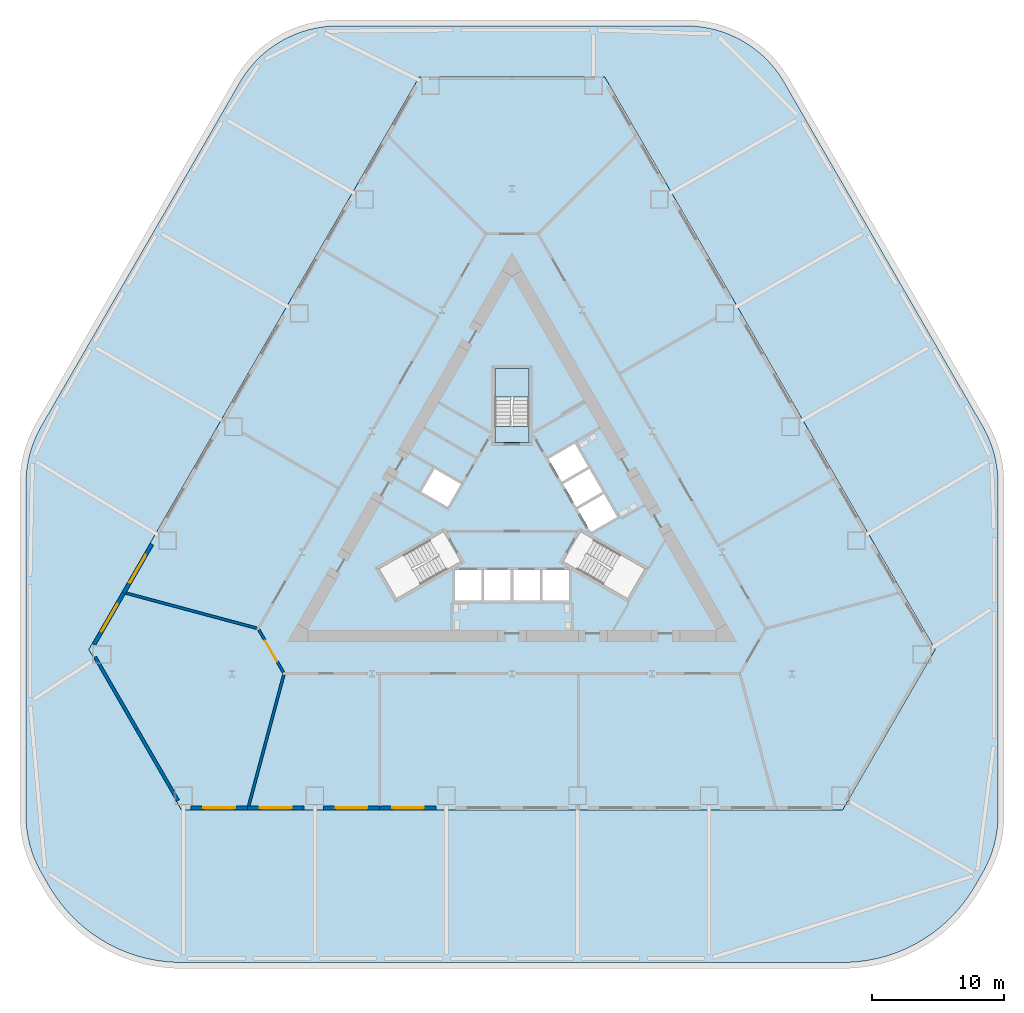
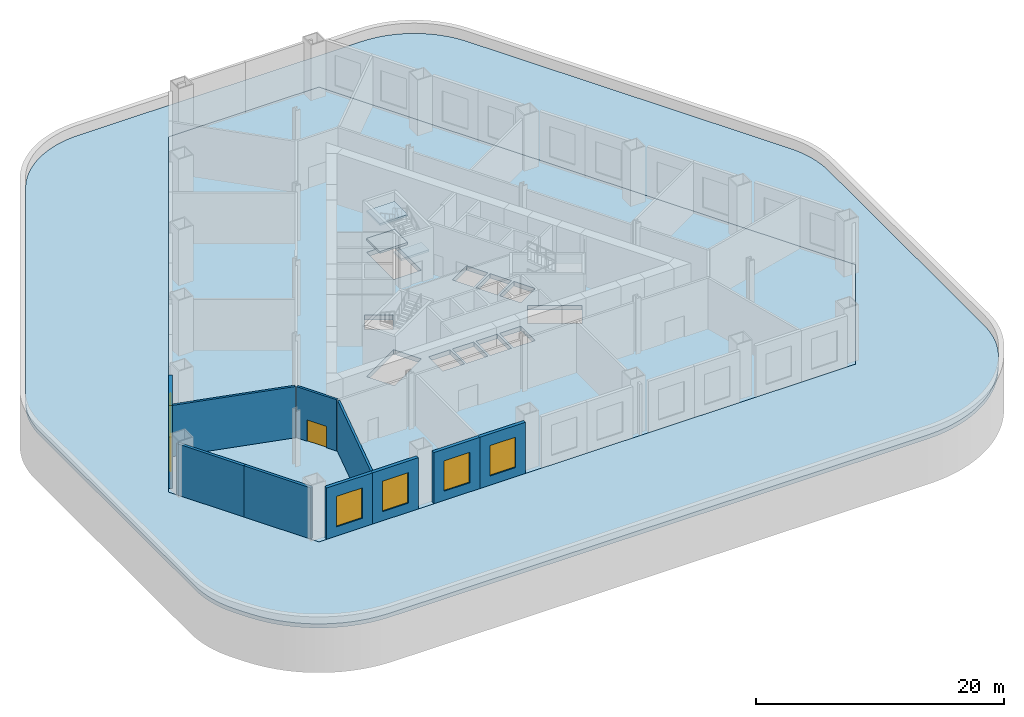
# One storey, part 2 of 10: 11 walls, 6 windows, 5 slabs, 1 door, 7 openings, 1 element without a shape of its own.
"""IFC4 building model written with IfcOpenShell, lengths in metres."""

from ifc_helpers import new_model, si_unit, direction, frame, frame_2d, origin, place, context, subcontext, project, spatial, polyline, rectangle, outline, extrude, material, layer, layer_set, type_object, element, fill, aggregate, save


model = new_model("IFC4")

# Units and contexts
model_context = context("Model", 3, precision=1e-05, world=origin(), true_north=direction((0.0, 1.0)))
body_context = subcontext(model_context, "Body", "Model", "MODEL_VIEW")
ifc_project = project(units=[si_unit("LENGTHUNIT", "METRE"), si_unit("AREAUNIT", "SQUARE_METRE"), si_unit("VOLUMEUNIT", "CUBIC_METRE"), si_unit("PLANEANGLEUNIT", "RADIAN"), si_unit("MASSUNIT", "GRAM", prefix="KILO")], contexts=[model_context])

# Site, building, storey
site_placement = place(None, origin())
site = spatial("IfcSite", under=ifc_project, at=site_placement, CompositionType="ELEMENT")
building_placement = place(site_placement, origin())
building = spatial("IfcBuilding", under=site, at=building_placement, Name="Cormorant Prow Tower", CompositionType="ELEMENT")
storey_placement = place(building_placement, frame((0.0, 0.0, 10.0)))
storey = spatial("IfcBuildingStorey", under=building, at=storey_placement, Name="L01", CompositionType="ELEMENT", Elevation=10.0)

# Slabs
ifc_material_1 = material(Name="Concrete C40/50", Category="concrete")
ifc_layer_1 = layer(ifc_material_1, 0.39990234375)
ifc_layer_set_1 = layer_set([ifc_layer_1], Name="Concrete C40/50")
slab_type_1 = type_object("IfcSlabType", Name="Podium canopy slab 400", PredefinedType="ROOF", material=ifc_layer_set_1)
slab_1_placement = place(storey_placement, frame((0.0, 0.0, -0.39990234375)))
element("IfcSlab", 1, at=slab_1_placement, inside=storey, type_object=slab_type_1, Name="Arcade roof slab", PredefinedType="ROOF", context=body_context, shape_type="SweptSolid", body=[
    extrude(outline(polyline([(-36.098876953125, -26.245849609375), (-36.296142578125, -25.722412109375), (-36.45849609375, -25.18701171875), (-36.58544921875, -24.64208984375), (-36.676513671875, -24.090087890625), (-36.7314453125, -23.533203125), (-36.75, -22.966796875), (-36.75, 2.18212890625), (-36.7314453125, 2.748779296875), (-36.676513671875, 3.305419921875), (-36.58544921875, 3.857421875), (-36.45849609375, 4.40234375), (-36.296142578125, 4.937744140625), (-36.098876953125, 5.46142578125), (-35.8681640625, 5.970947265625), (-35.600830078125, 6.470947265625), (-20.591064453125, 32.468505859375), (-20.291748046875, 32.949951171875), (-19.9658203125, 33.40478515625), (-19.61083984375, 33.837158203125), (-19.228515625, 34.24560546875), (-18.820068359375, 34.6279296875), (-18.3876953125, 34.98291015625), (-17.932861328125, 35.308837890625), (-17.457763671875, 35.604248046875), (-16.96435546875, 35.8681640625), (-16.45458984375, 36.098876953125), (-15.93115234375, 36.296142578125), (-15.395751953125, 36.45849609375), (-14.850830078125, 36.58544921875), (-14.298828125, 36.676513671875), (-13.741943359375, 36.7314453125), (-13.175537109375, 36.75), (13.175537109375, 36.75), (13.741943359375, 36.7314453125), (14.298828125, 36.676513671875), (14.850830078125, 36.58544921875), (15.395751953125, 36.45849609375), (15.93115234375, 36.296142578125), (16.45458984375, 36.098876953125), (16.96435546875, 35.8681640625), (17.457763671875, 35.604248046875), (17.932861328125, 35.308837890625), (18.3876953125, 34.98291015625), (18.820068359375, 34.6279296875), (19.228515625, 34.24560546875), (19.61083984375, 33.837158203125), (19.9658203125, 33.40478515625), (20.291748046875, 32.949951171875), (20.591064453125, 32.468505859375), (35.600830078125, 6.470947265625), (35.8681640625, 5.970947265625), (36.098876953125, 5.46142578125), (36.296142578125, 4.937744140625), (36.45849609375, 4.40234375), (36.58544921875, 3.857421875), (36.676513671875, 3.305419921875), (36.7314453125, 2.748779296875), (36.75, 2.18212890625), (36.75, -22.966796875), (36.7314453125, -23.533203125), (36.676513671875, -24.090087890625), (36.58544921875, -24.64208984375), (36.45849609375, -25.18701171875), (36.296142578125, -25.722412109375), (36.098876953125, -26.245849609375), (35.8681640625, -26.755615234375), (35.600830078125, -27.25537109375), (35.078125, -28.160888671875), (34.930419921875, -28.4072265625), (34.7548828125, -28.689453125), (34.43603515625, -29.166748046875), (34.330322265625, -29.314208984375), (33.980712890625, -29.769775390625), (33.86572265625, -29.909912109375), (33.4873046875, -30.341552734375), (33.36328125, -30.473876953125), (32.957275390625, -30.8798828125), (32.824951171875, -31.00390625), (32.393310546875, -31.382568359375), (32.253173828125, -31.49755859375), (31.797607421875, -31.846923828125), (31.650146484375, -31.95263671875), (31.1728515625, -32.271728515625), (31.018798828125, -32.367431640625), (30.521484375, -32.654541015625), (30.361572265625, -32.739990234375), (29.8466796875, -32.993896484375), (29.681640625, -33.068603515625), (29.151123046875, -33.288330078125), (28.9814453125, -33.352294921875), (28.437744140625, -33.536865234375), (28.26416015625, -33.589599609375), (27.70947265625, -33.738037109375), (27.532958984375, -33.779296875), (26.9697265625, -33.891357421875), (26.791015625, -33.9208984375), (26.2216796875, -33.995849609375), (26.041259765625, -34.013427734375), (25.46826171875, -34.051025390625), (25.13623046875, -34.06201171875), (24.84912109375, -34.066650390625), (-24.84912109375, -34.066650390625), (-25.13623046875, -34.06201171875), (-25.46826171875, -34.051025390625), (-26.041259765625, -34.013427734375), (-26.2216796875, -33.995849609375), (-26.791015625, -33.9208984375), (-26.9697265625, -33.891357421875), (-27.532958984375, -33.779296875), (-27.70947265625, -33.738037109375), (-28.26416015625, -33.589599609375), (-28.437744140625, -33.536865234375), (-28.9814453125, -33.352294921875), (-29.151123046875, -33.288330078125), (-29.681640625, -33.068603515625), (-29.8466796875, -32.993896484375), (-30.361572265625, -32.739990234375), (-30.521484375, -32.654541015625), (-31.018798828125, -32.367431640625), (-31.1728515625, -32.271728515625), (-31.650146484375, -31.95263671875), (-31.797607421875, -31.846923828125), (-32.253173828125, -31.49755859375), (-32.393310546875, -31.382568359375), (-32.824951171875, -31.00390625), (-32.957275390625, -30.8798828125), (-33.36328125, -30.473876953125), (-33.4873046875, -30.341552734375), (-33.86572265625, -29.909912109375), (-33.980712890625, -29.769775390625), (-34.330322265625, -29.314208984375), (-34.43603515625, -29.166748046875), (-34.7548828125, -28.689453125), (-34.930419921875, -28.4072265625), (-35.078125, -28.160888671875), (-35.600830078125, -27.25537109375), (-35.8681640625, -26.755615234375), (-36.098876953125, -26.245849609375)]), holes=[polyline([(-25.0, -22.5166015625), (25.0, -22.5166015625), (32.0, -10.392333984375), (7.0, 32.908935546875), (-7.0, 32.908935546875), (-32.0, -10.392333984375), (-25.0, -22.5166015625)])]), origin(), (0.0, 0.0, 1.0), 0.39990234375),
])
ifc_material_2 = material(Name="Concrete C40/50", Category="concrete")
ifc_layer_2 = layer(ifc_material_2, 0.449951171875)
ifc_layer_set_2 = layer_set([ifc_layer_2], Name="Concrete C40/50")
slab_type_2 = type_object("IfcSlabType", Name="Post-tensioned flat slab 450", PredefinedType="FLOOR", material=ifc_layer_set_2)
slab_2_placement = place(storey_placement, frame((0.0, 0.0, -0.449951171875)))
element("IfcSlab", 2, at=slab_2_placement, inside=storey, type_object=slab_type_2, Name="Floor slab L01", PredefinedType="FLOOR", context=body_context, shape_type="SweptSolid", body=[
    extrude(outline(polyline([(-9.5, 28.578857421875), (-12.0, 24.248779296875), (-14.5, 19.918701171875), (-17.0, 15.58837890625), (-19.5, 11.25830078125), (-22.0, 6.92822265625), (-24.5, 2.59814453125), (-27.0, -1.73193359375), (-29.5, -6.062255859375), (-32.0, -10.392333984375), (-28.5, -16.45458984375), (-25.0, -22.5166015625), (-20.0, -22.5166015625), (-15.0, -22.5166015625), (-10.0, -22.5166015625), (-5.0, -22.5166015625), (0.0, -22.5166015625), (5.0, -22.5166015625), (10.0, -22.5166015625), (15.0, -22.5166015625), (20.0, -22.5166015625), (25.0, -22.5166015625), (28.5, -16.45458984375), (32.0, -10.392333984375), (29.5, -6.062255859375), (27.0, -1.73193359375), (24.5, 2.59814453125), (22.0, 6.92822265625), (19.5, 11.25830078125), (17.0, 15.58837890625), (14.5, 19.918701171875), (12.0, 24.248779296875), (9.5, 28.578857421875), (7.0, 32.908935546875), (0.0, 32.908935546875), (-7.0, 32.908935546875), (-9.5, 28.578857421875)]), holes=[polyline([(-4.300048828125, -6.699951171875), (-4.300048828125, -4.39990234375), (-2.300048828125, -4.39990234375), (-2.300048828125, -6.699951171875), (-4.300048828125, -6.699951171875)]), polyline([(-2.10009765625, -4.39990234375), (-0.10009765625, -4.39990234375), (-0.10009765625, -6.699951171875), (-2.10009765625, -6.699951171875), (-2.10009765625, -4.39990234375)]), polyline([(2.10009765625, -4.39990234375), (2.10009765625, -6.699951171875), (0.10009765625, -6.699951171875), (0.10009765625, -4.39990234375), (2.10009765625, -4.39990234375)]), polyline([(4.300048828125, -6.699951171875), (2.300048828125, -6.699951171875), (2.300048828125, -4.39990234375), (4.300048828125, -4.39990234375), (4.300048828125, -6.699951171875)]), polyline([(7.952392578125, -0.373779296875), (5.96044921875, -1.52392578125), (4.96044921875, 0.2080078125), (6.952392578125, 1.358154296875), (7.952392578125, -0.373779296875)]), polyline([(4.860595703125, 0.38134765625), (3.860595703125, 2.11328125), (5.852294921875, 3.263427734375), (6.852294921875, 1.53125), (4.860595703125, 0.38134765625)]), polyline([(2.760498046875, 4.018798828125), (4.75244140625, 5.168701171875), (5.75244140625, 3.4365234375), (3.760498046875, 2.28662109375), (2.760498046875, 4.018798828125)]), polyline([(-6.852294921875, 1.53125), (-5.852294921875, 3.263427734375), (-3.860595703125, 2.11328125), (-4.860595703125, 0.38134765625), (-6.852294921875, 1.53125)]), polyline([(-4.947509765625, -4.3505859375), (-8.738037109375, -6.5390625), (-10.031982421875, -4.2978515625), (-6.241455078125, -2.109375), (-4.947509765625, -4.3505859375)]), polyline([(10.031982421875, -4.2978515625), (8.738037109375, -6.5390625), (4.947509765625, -4.3505859375), (6.241455078125, -2.109375), (10.031982421875, -4.2978515625)]), polyline([(1.2939453125, 10.8369140625), (1.2939453125, 6.459716796875), (-1.2939453125, 6.459716796875), (-1.2939453125, 10.8369140625), (1.2939453125, 10.8369140625)])]), origin(), (0.0, 0.0, 1.0), 0.449951171875),
])

# Stair, slabs
ifc_material_3 = material(Name="Exit stair 36 risers")
stair_type = type_object("IfcStairType", Name="Exit stair 36 risers", PredefinedType="HALF_TURN_STAIR", material=ifc_material_3)
stair_placement = place(storey_placement, origin())
stair = element("IfcStair", 3, at=stair_placement, inside=storey, type_object=stair_type, Name="L01 Exit stair ST3", PredefinedType="HALF_TURN_STAIR")
ifc_material_4 = material(Name="Concrete 5000 psi", Category="concrete")
ifc_layer_3 = layer(ifc_material_4, 0.199951171875)
ifc_layer_set_3 = layer_set([ifc_layer_3], Name="Concrete 5000 psi")
slab_type_3 = type_object("IfcSlabType", Name="Stair landing 200", PredefinedType="LANDING", material=ifc_layer_set_3)
slab_3_placement = place(storey_placement, frame((0.0, 0.0, 1.175048828125)))
slab_3 = element("IfcSlab", 4, at=slab_3_placement, type_object=slab_type_3, Name="ST3 landing 1", PredefinedType="LANDING", context=body_context, shape_type="SweptSolid", body=[
    extrude(outline(polyline([(1.2939453125, 8.69189453125), (1.2939453125, 10.8369140625), (-1.2939453125, 10.8369140625), (-1.2939453125, 8.69189453125), (1.2939453125, 8.69189453125)])), origin(), (0.0, 0.0, 1.0), 0.199951171875),
])
slab_4_placement = place(storey_placement, frame((0.0, 0.0, 2.550048828125)))
slab_4 = element("IfcSlab", 5, at=slab_4_placement, type_object=slab_type_3, Name="ST3 landing 2", PredefinedType="LANDING", context=body_context, shape_type="SweptSolid", body=[
    extrude(outline(polyline([(1.2939453125, 5.23681640625), (1.2939453125, 6.459716796875), (-1.2939453125, 6.459716796875), (-1.2939453125, 5.23681640625), (1.2939453125, 5.23681640625)])), origin(), (0.0, 0.0, 1.0), 0.199951171875),
])
slab_5_placement = place(storey_placement, frame((0.0, 0.0, 3.925048828125)))
slab_5 = element("IfcSlab", 6, at=slab_5_placement, type_object=slab_type_3, Name="ST3 landing 3", PredefinedType="LANDING", context=body_context, shape_type="SweptSolid", body=[
    extrude(outline(polyline([(1.2939453125, 8.69189453125), (1.2939453125, 10.8369140625), (-1.2939453125, 10.8369140625), (-1.2939453125, 8.69189453125), (1.2939453125, 8.69189453125)])), origin(), (0.0, 0.0, 1.0), 0.199951171875),
])
aggregate(stair, [slab_3, slab_4, slab_5])

# Wall, opening, door
ifc_material_5 = material(Name="Gypsum board corridor wall")
ifc_layer_4 = layer(ifc_material_5, 0.199951171875)
ifc_layer_set_4 = layer_set([ifc_layer_4], Name="Gypsum board corridor wall")
wall_type_1 = type_object("IfcWallType", Name="Corridor wall 200", PredefinedType="PARTITIONING", material=ifc_layer_set_4)
wall_1_placement = place(storey_placement, frame((-19.143798828125, -8.901611328125, 0.0), z_axis=(0.0, 0.0, 1.0), x_axis=(0.499958791762, -0.866049194065, 0.0)))
wall_1 = element("IfcWall", 7, at=wall_1_placement, inside=storey, type_object=wall_type_1, Name="Corridor wall", PredefinedType="PARTITIONING", context=body_context, shape_type="SweptSolid", body=[
    extrude(rectangle(XDim=3.725830078125, YDim=0.199951171875, at=frame_2d((1.86279296875, 0.0))), origin(), (0.0, 0.0, 1.0), 5.050048828125),
])
opening_1_placement = place(wall_1_placement, frame((0.962890625, 0.0, 0.0)))
opening_1 = element("IfcOpeningElement", 8, at=opening_1_placement, cuts=wall_1, Name="Opening L01-F12", PredefinedType="OPENING", context=body_context, shape_type="SweptSolid", body=[
    extrude(rectangle(XDim=1.800048828125, YDim=2.10009765625, at=frame_2d((0.89990234375, 1.050048828125))), frame((0.0, 0.10986328125, 0.0), z_axis=(0.0, -1.0, 0.0), x_axis=(1.0, 0.0, 0.0)), (0.0, 0.0, 1.0), 0.219970703125),
])
ifc_material_6 = material(Name="Timber door leaf", Category="wood")
door_type = type_object("IfcDoorType", Name="Double door 1800x2100", OperationType="DOUBLE_DOOR_SINGLE_SWING", PredefinedType="DOOR", material=ifc_material_6)
door_placement = place(opening_1_placement, origin())
door = element("IfcDoor", 9, at=door_placement, inside=storey, type_object=door_type, Name="Serviced office door", OperationType="DOUBLE_DOOR_SINGLE_SWING", OverallHeight=2.10009765625, OverallWidth=1.800048828125, PredefinedType="DOOR", context=body_context, shape_type="SweptSolid", body=[
    extrude(rectangle(XDim=1.800048828125, YDim=2.10009765625, at=frame_2d((0.89990234375, 1.050048828125))), frame((0.0, 0.02490234375, 0.0), z_axis=(0.0, -1.0, 0.0), x_axis=(1.0, 0.0, 0.0)), (0.0, 0.0, 1.0), 0.050048828125),
])
fill(opening_1, door)

# Walls
ifc_material_7 = material(Name="Gypsum board demising wall")
ifc_layer_5 = layer(ifc_material_7, 0.199951171875)
ifc_layer_set_5 = layer_set([ifc_layer_5], Name="Gypsum board demising wall")
wall_type_2 = type_object("IfcWallType", Name="Demising wall 200", PredefinedType="PARTITIONING", material=ifc_layer_set_5)
for number, where, z_axis, x_axis, name in (
    (10, (-29.251953125, -6.115478515625, 0.0), (0.0, 0.0, 1.0), (0.965818413341, -0.259219583464, 0.0), "Demising wall"),
    (11, (-19.921875, -22.275146484375, 0.0), (0.0, 0.0, 1.0), (0.258415425443, 0.966033885479, 0.0), "Demising wall"),
):
    element("IfcWall", number, at=place(storey_placement, frame(where, z_axis=z_axis, x_axis=x_axis)), inside=storey, type_object=wall_type_2, Name=name, PredefinedType="PARTITIONING", context=body_context, shape_type="SweptSolid", body=[
        extrude(rectangle(XDim=10.31396484375, YDim=0.199951171875, at=frame_2d((5.156982421875, 0.0))), origin(), (0.0, 0.0, 1.0), 5.050048828125),
    ])
ifc_material_8 = material(Name="Terracotta", Category="masonry")
ifc_layer_6 = layer(ifc_material_8, 0.25)
ifc_layer_set_6 = layer_set([ifc_layer_6], Name="Terracotta")
wall_type_3 = type_object("IfcWallType", Name="Terracotta bay wall 250", PredefinedType="SOLIDWALL", material=ifc_layer_set_6)
wall_2_placement = place(storey_placement, frame((-31.52685546875, -10.9619140625, 0.0), z_axis=(0.0, 0.0, 1.0), x_axis=(0.499987597971, -0.866032563981, 0.0)))
element("IfcWall", 12, at=wall_2_placement, inside=storey, type_object=wall_type_3, Name="Terracotta bay wall WSW00", PredefinedType="SOLIDWALL", context=body_context, shape_type="SweptSolid", body=[
    extrude(rectangle(XDim=6.270263671875, YDim=0.25, at=frame_2d((3.13525390625, 0.0))), origin(), (0.0, 0.0, 1.0), 5.050048828125),
])
wall_3_placement = place(storey_placement, frame((-28.391845703125, -16.39208984375, 0.0), z_axis=(0.0, 0.0, 1.0), x_axis=(0.5000044583, -0.866022829768, 0.0)))
element("IfcWall", 13, at=wall_3_placement, inside=storey, type_object=wall_type_3, Name="Terracotta bay wall WSW01", PredefinedType="SOLIDWALL", context=body_context, shape_type="SweptSolid", body=[
    extrude(rectangle(XDim=6.27001953125, YDim=0.25, at=frame_2d((3.135009765625, 0.0))), origin(), (0.0, 0.0, 1.0), 5.050048828125),
])

# Wall, opening, window
ifc_material_9 = material(Name="Terracotta", Category="masonry")
ifc_layer_7 = layer(ifc_material_9, 0.300048828125)
ifc_layer_set_7 = layer_set([ifc_layer_7], Name="Terracotta")
wall_type_4 = type_object("IfcWallType", Name="Terracotta podium cladding wall 300", PredefinedType="SOLIDWALL", material=ifc_layer_set_7)
wall_4_placement = place(storey_placement, frame((-24.27001953125, -22.36669921875, 0.0), z_axis=(0.0, 0.0, 1.0), x_axis=(1.0, 0.0, 0.0)))
wall_4 = element("IfcWall", 14, at=wall_4_placement, inside=storey, type_object=wall_type_4, Name="Terracotta podium wall S00", PredefinedType="SOLIDWALL", context=body_context, shape_type="SweptSolid", body=[
    extrude(rectangle(XDim=4.27001953125, YDim=0.300048828125, at=frame_2d((2.135009765625, 0.0))), origin(), (0.0, 0.0, 1.0), 5.050048828125),
])
opening_2_placement = place(wall_4_placement, frame((0.93505859375, 0.0, 0.89990234375)))
opening_2 = element("IfcOpeningElement", 15, at=opening_2_placement, cuts=wall_4, Name="Opening WN21", PredefinedType="OPENING", context=body_context, shape_type="SweptSolid", body=[
    extrude(rectangle(XDim=2.39990234375, YDim=3.0, at=frame_2d((1.199951171875, 1.5))), frame((0.0, 0.159912109375, 0.0), z_axis=(0.0, -1.0, 0.0), x_axis=(1.0, 0.0, 0.0)), (0.0, 0.0, 1.0), 0.320068359375),
])
ifc_material_10 = material(Name="Aluminium 6063-T6", Category="aluminium")
window_type = type_object("IfcWindowType", Name="Podium window 2400x3000", PartitioningType="SINGLE_PANEL", PredefinedType="WINDOW", material=ifc_material_10)
window_1_placement = place(opening_2_placement, origin())
window_1 = element("IfcWindow", 16, at=window_1_placement, inside=storey, type_object=window_type, Name="Podium window S00", OverallHeight=3.0, OverallWidth=2.39990234375, PartitioningType="SINGLE_PANEL", PredefinedType="WINDOW", context=body_context, shape_type="SweptSolid", body=[
    extrude(rectangle(XDim=2.39990234375, YDim=3.0, at=frame_2d((1.199951171875, 1.5))), frame((0.0, 0.030029296875, 0.0), z_axis=(0.0, -1.0, 0.0), x_axis=(1.0, 0.0, 0.0)), (0.0, 0.0, 1.0), 0.06005859375),
])
fill(opening_2, window_1)

wall_5_placement = place(storey_placement, frame((-20.0, -22.36669921875, 0.0), z_axis=(0.0, 0.0, 1.0), x_axis=(1.0, 0.0, 0.0)))
wall_5 = element("IfcWall", 17, at=wall_5_placement, inside=storey, type_object=wall_type_4, Name="Terracotta podium wall S01", PredefinedType="SOLIDWALL", context=body_context, shape_type="SweptSolid", body=[
    extrude(rectangle(XDim=4.27001953125, YDim=0.300048828125, at=frame_2d((2.135009765625, 0.0))), origin(), (0.0, 0.0, 1.0), 5.050048828125),
])
opening_3_placement = place(wall_5_placement, frame((0.93505859375, 0.0, 0.89990234375)))
opening_3 = element("IfcOpeningElement", 18, at=opening_3_placement, cuts=wall_5, Name="Opening WN21", PredefinedType="OPENING", context=body_context, shape_type="SweptSolid", body=[
    extrude(rectangle(XDim=2.39990234375, YDim=3.0, at=frame_2d((1.199951171875, 1.5))), frame((0.0, 0.159912109375, 0.0), z_axis=(0.0, -1.0, 0.0), x_axis=(1.0, 0.0, 0.0)), (0.0, 0.0, 1.0), 0.320068359375),
])
window_2_placement = place(opening_3_placement, origin())
window_2 = element("IfcWindow", 19, at=window_2_placement, inside=storey, type_object=window_type, Name="Podium window S01", OverallHeight=3.0, OverallWidth=2.39990234375, PartitioningType="SINGLE_PANEL", PredefinedType="WINDOW", context=body_context, shape_type="SweptSolid", body=[
    extrude(rectangle(XDim=2.39990234375, YDim=3.0, at=frame_2d((1.199951171875, 1.5))), frame((0.0, 0.030029296875, 0.0), z_axis=(0.0, -1.0, 0.0), x_axis=(1.0, 0.0, 0.0)), (0.0, 0.0, 1.0), 0.06005859375),
])
fill(opening_3, window_2)

wall_6_placement = place(storey_placement, frame((-14.27001953125, -22.36669921875, 0.0), z_axis=(0.0, 0.0, 1.0), x_axis=(1.0, 0.0, 0.0)))
wall_6 = element("IfcWall", 20, at=wall_6_placement, inside=storey, type_object=wall_type_4, Name="Terracotta podium wall S02", PredefinedType="SOLIDWALL", context=body_context, shape_type="SweptSolid", body=[
    extrude(rectangle(XDim=4.27001953125, YDim=0.300048828125, at=frame_2d((2.135009765625, 0.0))), origin(), (0.0, 0.0, 1.0), 5.050048828125),
])
opening_4_placement = place(wall_6_placement, frame((0.93505859375, 0.0, 0.89990234375)))
opening_4 = element("IfcOpeningElement", 21, at=opening_4_placement, cuts=wall_6, Name="Opening WN21", PredefinedType="OPENING", context=body_context, shape_type="SweptSolid", body=[
    extrude(rectangle(XDim=2.39990234375, YDim=3.0, at=frame_2d((1.199951171875, 1.5))), frame((0.0, 0.159912109375, 0.0), z_axis=(0.0, -1.0, 0.0), x_axis=(1.0, 0.0, 0.0)), (0.0, 0.0, 1.0), 0.320068359375),
])
window_3_placement = place(opening_4_placement, origin())
window_3 = element("IfcWindow", 22, at=window_3_placement, inside=storey, type_object=window_type, Name="Podium window S02", OverallHeight=3.0, OverallWidth=2.39990234375, PartitioningType="SINGLE_PANEL", PredefinedType="WINDOW", context=body_context, shape_type="SweptSolid", body=[
    extrude(rectangle(XDim=2.39990234375, YDim=3.0, at=frame_2d((1.199951171875, 1.5))), frame((0.0, 0.030029296875, 0.0), z_axis=(0.0, -1.0, 0.0), x_axis=(1.0, 0.0, 0.0)), (0.0, 0.0, 1.0), 0.06005859375),
])
fill(opening_4, window_3)

wall_7_placement = place(storey_placement, frame((-10.0, -22.36669921875, 0.0), z_axis=(0.0, 0.0, 1.0), x_axis=(1.0, 0.0, 0.0)))
wall_7 = element("IfcWall", 23, at=wall_7_placement, inside=storey, type_object=wall_type_4, Name="Terracotta podium wall S03", PredefinedType="SOLIDWALL", context=body_context, shape_type="SweptSolid", body=[
    extrude(rectangle(XDim=4.27001953125, YDim=0.300048828125, at=frame_2d((2.135009765625, 0.0))), origin(), (0.0, 0.0, 1.0), 5.050048828125),
])
opening_5_placement = place(wall_7_placement, frame((0.93505859375, 0.0, 0.89990234375)))
opening_5 = element("IfcOpeningElement", 24, at=opening_5_placement, cuts=wall_7, Name="Opening WN21", PredefinedType="OPENING", context=body_context, shape_type="SweptSolid", body=[
    extrude(rectangle(XDim=2.39990234375, YDim=3.0, at=frame_2d((1.199951171875, 1.5))), frame((0.0, 0.159912109375, 0.0), z_axis=(0.0, -1.0, 0.0), x_axis=(1.0, 0.0, 0.0)), (0.0, 0.0, 1.0), 0.320068359375),
])
window_4_placement = place(opening_5_placement, origin())
window_4 = element("IfcWindow", 25, at=window_4_placement, inside=storey, type_object=window_type, Name="Podium window S03", OverallHeight=3.0, OverallWidth=2.39990234375, PartitioningType="SINGLE_PANEL", PredefinedType="WINDOW", context=body_context, shape_type="SweptSolid", body=[
    extrude(rectangle(XDim=2.39990234375, YDim=3.0, at=frame_2d((1.199951171875, 1.5))), frame((0.0, 0.030029296875, 0.0), z_axis=(0.0, -1.0, 0.0), x_axis=(1.0, 0.0, 0.0)), (0.0, 0.0, 1.0), 0.06005859375),
])
fill(opening_5, window_4)

wall_8_placement = place(storey_placement, frame((-27.235107421875, -2.439208984375, 0.0), z_axis=(0.0, 0.0, 1.0), x_axis=(-0.499994660107, -0.866028486751, 0.0)))
wall_8 = element("IfcWall", 26, at=wall_8_placement, inside=storey, type_object=wall_type_4, Name="Terracotta podium wall WNW08", PredefinedType="SOLIDWALL", context=body_context, shape_type="SweptSolid", body=[
    extrude(rectangle(XDim=4.27001953125, YDim=0.300048828125, at=frame_2d((2.135009765625, 0.0))), origin(), (0.0, 0.0, 1.0), 5.050048828125),
])
opening_6_placement = place(wall_8_placement, frame((0.93505859375, 0.0, 0.89990234375)))
opening_6 = element("IfcOpeningElement", 27, at=opening_6_placement, cuts=wall_8, Name="Opening WN21", PredefinedType="OPENING", context=body_context, shape_type="SweptSolid", body=[
    extrude(rectangle(XDim=2.39990234375, YDim=3.0, at=frame_2d((1.199951171875, 1.5))), frame((0.0, 0.159912109375, 0.0), z_axis=(0.0, -1.0, 0.0), x_axis=(1.0, 0.0, 0.0)), (0.0, 0.0, 1.0), 0.320068359375),
])
window_5_placement = place(opening_6_placement, origin())
window_5 = element("IfcWindow", 28, at=window_5_placement, inside=storey, type_object=window_type, Name="Podium window WNW08", OverallHeight=3.0, OverallWidth=2.39990234375, PartitioningType="SINGLE_PANEL", PredefinedType="WINDOW", context=body_context, shape_type="SweptSolid", body=[
    extrude(rectangle(XDim=2.39990234375, YDim=3.0, at=frame_2d((1.199951171875, 1.5))), frame((0.0, 0.030029296875, 0.0), z_axis=(0.0, -1.0, 0.0), x_axis=(1.0, 0.0, 0.0)), (0.0, 0.0, 1.0), 0.06005859375),
])
fill(opening_6, window_5)

wall_9_placement = place(storey_placement, frame((-29.3701171875, -6.13720703125, 0.0), z_axis=(0.0, 0.0, 1.0), x_axis=(-0.49999314502, -0.866029361473, 0.0)))
wall_9 = element("IfcWall", 29, at=wall_9_placement, inside=storey, type_object=wall_type_4, Name="Terracotta podium wall WNW09", PredefinedType="SOLIDWALL", context=body_context, shape_type="SweptSolid", body=[
    extrude(rectangle(XDim=4.47607421875, YDim=0.300048828125, at=frame_2d((2.238037109375, 0.0))), origin(), (0.0, 0.0, 1.0), 5.050048828125),
])
opening_7_placement = place(wall_9_placement, frame((0.93505859375, 0.0, 0.89990234375)))
opening_7 = element("IfcOpeningElement", 30, at=opening_7_placement, cuts=wall_9, Name="Opening WN21", PredefinedType="OPENING", context=body_context, shape_type="SweptSolid", body=[
    extrude(rectangle(XDim=2.39990234375, YDim=3.0, at=frame_2d((1.199951171875, 1.5))), frame((0.0, 0.159912109375, 0.0), z_axis=(0.0, -1.0, 0.0), x_axis=(1.0, 0.0, 0.0)), (0.0, 0.0, 1.0), 0.320068359375),
])
window_6_placement = place(opening_7_placement, origin())
window_6 = element("IfcWindow", 31, at=window_6_placement, inside=storey, type_object=window_type, Name="Podium window WNW09", OverallHeight=3.0, OverallWidth=2.39990234375, PartitioningType="SINGLE_PANEL", PredefinedType="WINDOW", context=body_context, shape_type="SweptSolid", body=[
    extrude(rectangle(XDim=2.39990234375, YDim=3.0, at=frame_2d((1.199951171875, 1.5))), frame((0.0, 0.030029296875, 0.0), z_axis=(0.0, -1.0, 0.0), x_axis=(1.0, 0.0, 0.0)), (0.0, 0.0, 1.0), 0.06005859375),
])
fill(opening_7, window_6)

save(model, "model.ifc")
